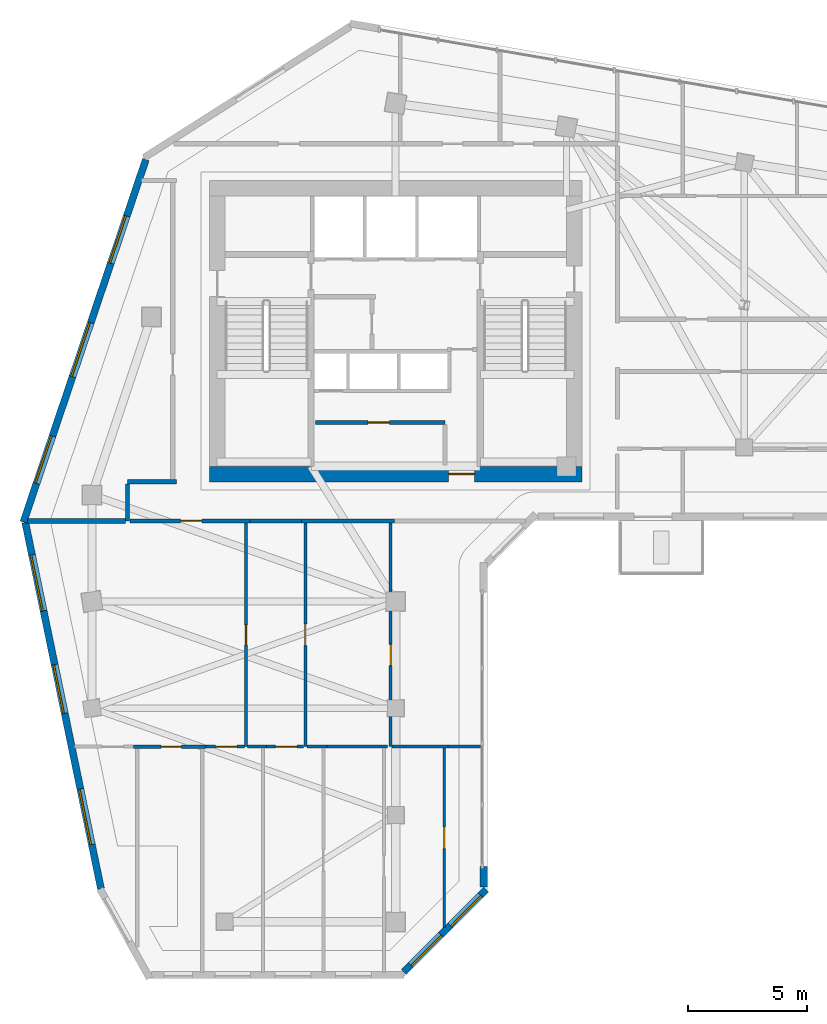
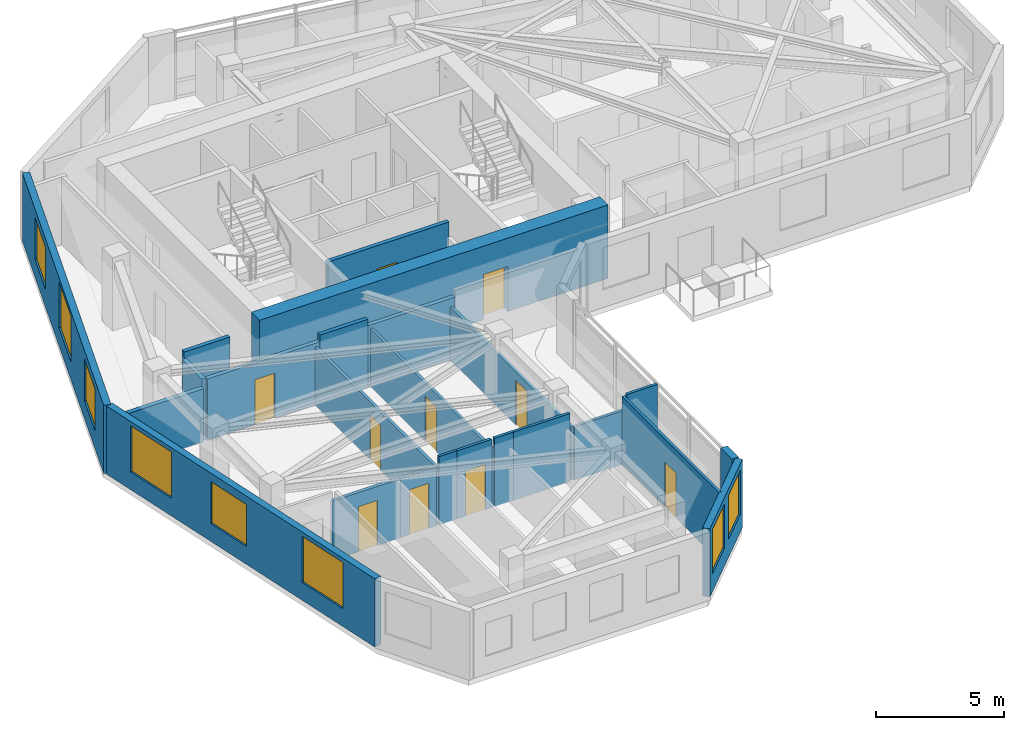
# One storey, part 5 of 11: 24 walls, 10 doors, 8 windows, 18 openings.
"""IFC4 building model written with IfcOpenShell, lengths in metres."""

from ifc_helpers import new_model, si_unit, direction, frame, frame_2d, origin, place, context, subcontext, project, spatial, rectangle, extrude, source, transform, mapped, material, layer, layer_set, type_object, element, fill, save


model = new_model("IFC4")

# Units and contexts
model_context = context("Model", 3, precision=1e-05, world=origin(), true_north=direction((0.0, 1.0)))
body_context = subcontext(model_context, "Body", "Model", "MODEL_VIEW")
ifc_project = project(units=[si_unit("LENGTHUNIT", "METRE"), si_unit("AREAUNIT", "SQUARE_METRE"), si_unit("VOLUMEUNIT", "CUBIC_METRE"), si_unit("PLANEANGLEUNIT", "RADIAN"), si_unit("MASSUNIT", "GRAM", prefix="KILO")], contexts=[model_context])

# Site, building, storey
site_placement = place(None, origin())
site = spatial("IfcSite", under=ifc_project, at=site_placement, CompositionType="ELEMENT")
building_placement = place(site_placement, origin())
building = spatial("IfcBuilding", under=site, at=building_placement, Name="Calvemar Wedge Station Tower", CompositionType="ELEMENT")
storey_placement = place(building_placement, frame((0.0, 0.0, 190.39990234375)))
storey = spatial("IfcBuildingStorey", under=building, at=storey_placement, Name="L47", CompositionType="ELEMENT", Elevation=190.39990234375)

# Wall, opening, door
ifc_material_1 = material(Name="Concrete C60", Category="concrete")
ifc_layer_1 = layer(ifc_material_1, 0.64990234375)
ifc_layer_set_1 = layer_set([ifc_layer_1], Name="Concrete C60")
wall_type_1 = type_object("IfcWallType", Name="SW-CORE-650", PredefinedType="SHEAR", material=ifc_layer_set_1)
wall_1_placement = place(storey_placement, frame((15.949951171875, 33.875, 0.0), z_axis=(0.0, 0.0, 1.0), x_axis=(1.0, 0.0, 0.0)))
wall_1 = element("IfcWall", 1, at=wall_1_placement, inside=storey, type_object=wall_type_1, Name="Storey L47 Core Shear Wall S", PredefinedType="SHEAR", context=body_context, shape_type="SweptSolid", body=[
    extrude(rectangle(XDim=15.699951171875, YDim=0.64990234375, at=frame_2d((7.85009765625, 0.0))), origin(), (0.0, 0.0, 1.0), 3.5),
])
shared_shape_1 = source(origin(), body_context, "Body", "SweptSolid", [
    extrude(rectangle(XDim=1.10009765625, YDim=2.14990234375, at=frame_2d((0.550048828125, 1.074951171875))), frame((0.0, 0.3349609375, 0.0), z_axis=(0.0, -1.0, 0.0), x_axis=(1.0, 0.0, 0.0)), (0.0, 0.0, 1.0), 0.669921875),
])
opening_1_placement = place(wall_1_placement, frame((10.080078125, 0.0, 0.0)))
opening_1 = element("IfcOpeningElement", 2, at=opening_1_placement, cuts=wall_1, Name="Opening FD-90", PredefinedType="OPENING", context=body_context, shape_type="MappedRepresentation", body=[
    mapped(shared_shape_1, transform((0.0, 0.0, 0.0), scale=1.0)),
])
ifc_material_2 = material(Name="Galvanized fire-rated steel door leaf P-90", Category="steel")
door_type_1 = type_object("IfcDoorType", Name="DR-FD90-1100", OperationType="NOTDEFINED", PredefinedType="DOOR", material=ifc_material_2)
shared_shape_2 = source(origin(), body_context, "Body", "SweptSolid", [
    extrude(rectangle(XDim=1.10009765625, YDim=2.14990234375, at=frame_2d((0.550048828125, 1.074951171875))), frame((0.0, 0.02490234375, 0.0), z_axis=(0.0, -1.0, 0.0), x_axis=(1.0, 0.0, 0.0)), (0.0, 0.0, 1.0), 0.050048828125),
])
door_1_placement = place(opening_1_placement, origin())
door_1 = element("IfcDoor", 3, at=door_1_placement, inside=storey, type_object=door_type_1, Name="L47 Passenger Lift Lobby Door", OperationType="SINGLE_SWING_RIGHT", OverallHeight=2.14990234375, OverallWidth=1.10009765625, PredefinedType="DOOR", context=body_context, shape_type="MappedRepresentation", body=[
    mapped(shared_shape_2, transform((0.0, 0.0, 0.0), scale=1.0)),
])
fill(opening_1, door_1)

ifc_material_3 = material(Name="Double-stud fire-rated corridor partition")
ifc_layer_2 = layer(ifc_material_3, 0.179931640625)
ifc_layer_set_2 = layer_set([ifc_layer_2], Name="Double-stud fire-rated corridor partition")
wall_type_2 = type_object("IfcWallType", Name="W-CORR-180", PredefinedType="PARTITIONING", material=ifc_layer_set_2)
wall_2_placement = place(storey_placement, frame((20.419921875, 36.050048828125, 0.0), z_axis=(0.0, 0.0, 1.0), x_axis=(1.0, 0.0, 0.0)))
wall_2 = element("IfcWall", 4, at=wall_2_placement, inside=storey, type_object=wall_type_2, Name="Storey L47 Interior Partition WL-L47-004", PredefinedType="PARTITIONING", context=body_context, shape_type="SweptSolid", body=[
    extrude(rectangle(XDim=5.4599609375, YDim=0.179931640625, at=frame_2d((2.72998046875, 0.0))), origin(), (0.0, 0.0, 1.0), 3.25),
])
shared_shape_3 = source(origin(), body_context, "Body", "SweptSolid", [
    extrude(rectangle(XDim=0.89990234375, YDim=2.14990234375, at=frame_2d((0.449951171875, 1.074951171875))), frame((0.0, 0.10009765625, 0.0), z_axis=(0.0, -1.0, 0.0), x_axis=(1.0, 0.0, 0.0)), (0.0, 0.0, 1.0), 0.199951171875),
])
opening_2_placement = place(wall_2_placement, frame((2.219482421875, 0.0, 0.0)))
opening_2 = element("IfcOpeningElement", 5, at=opening_2_placement, cuts=wall_2, Name="Opening FD-60", PredefinedType="OPENING", context=body_context, shape_type="MappedRepresentation", body=[
    mapped(shared_shape_3, transform((0.0, 0.0, 0.0), scale=1.0)),
])
ifc_material_4 = material(Name="Fire-rated acoustic timber-core entrance door EI 60", Category="wood")
door_type_2 = type_object("IfcDoorType", Name="DR-FD60-900", OperationType="NOTDEFINED", PredefinedType="DOOR", material=ifc_material_4)
shared_shape_4 = source(origin(), body_context, "Body", "SweptSolid", [
    extrude(rectangle(XDim=0.89990234375, YDim=2.14990234375, at=frame_2d((0.449951171875, 1.074951171875))), frame((0.0, 0.02490234375, 0.0), z_axis=(0.0, -1.0, 0.0), x_axis=(1.0, 0.0, 0.0)), (0.0, 0.0, 1.0), 0.050048828125),
])
door_2_placement = place(opening_2_placement, origin())
door_2 = element("IfcDoor", 6, at=door_2_placement, inside=storey, type_object=door_type_2, Name="L47 Parcel and Resident Store Door", OperationType="SINGLE_SWING_LEFT", OverallHeight=2.14990234375, OverallWidth=0.89990234375, PredefinedType="DOOR", context=body_context, shape_type="MappedRepresentation", body=[
    mapped(shared_shape_4, transform((0.0, 0.0, 0.0), scale=1.0)),
])
fill(opening_2, door_2)

# Walls
wall_3_placement = place(storey_placement, frame((12.5, 33.550048828125, 0.0), z_axis=(0.0, 0.0, 1.0), x_axis=(1.0, 0.0, 0.0)))
element("IfcWall", 7, at=wall_3_placement, inside=storey, type_object=wall_type_2, Name="Storey L47 Interior Partition WL-L47-006", PredefinedType="PARTITIONING", context=body_context, shape_type="SweptSolid", body=[
    extrude(rectangle(XDim=2.06005859375, YDim=0.179931640625, at=frame_2d((1.030029296875, 0.0))), origin(), (0.0, 0.0, 1.0), 3.25),
])
wall_4_placement = place(storey_placement, frame((12.5, 31.89990234375, 0.0), z_axis=(0.0, 0.0, 1.0), x_axis=(0.0, 1.0, 0.0)))
element("IfcWall", 8, at=wall_4_placement, inside=storey, type_object=wall_type_2, Name="Storey L47 Interior Partition WL-L47-007", PredefinedType="PARTITIONING", context=body_context, shape_type="SweptSolid", body=[
    extrude(rectangle(XDim=1.55615234375, YDim=0.179931640625, at=frame_2d((0.778076171875, 0.0))), origin(), (0.0, 0.0, 1.0), 2.93408203125),
])
wall_5_placement = place(storey_placement, frame((23.7509765625, 31.89990234375, 0.0), z_axis=(0.0, 0.0, 1.0), x_axis=(-1.0, 0.0, 0.0)))
element("IfcWall", 9, at=wall_5_placement, inside=storey, type_object=wall_type_2, Name="Storey L47 Interior Partition WL-L47-008", PredefinedType="PARTITIONING", context=body_context, shape_type="SweptSolid", body=[
    extrude(rectangle(XDim=3.919921875, YDim=0.179931640625, at=frame_2d((1.9599609375, 0.0))), origin(), (0.0, 0.0, 1.0), 2.93408203125),
])

# Wall, opening, door
wall_6_placement = place(storey_placement, frame((17.65087890625, 31.89990234375, 0.0), z_axis=(0.0, 0.0, 1.0), x_axis=(-1.0, 0.0, 0.0)))
wall_6 = element("IfcWall", 10, at=wall_6_placement, inside=storey, type_object=wall_type_2, Name="Storey L47 Interior Partition WL-L47-010", PredefinedType="PARTITIONING", context=body_context, shape_type="SweptSolid", body=[
    extrude(rectangle(XDim=5.056884765625, YDim=0.179931640625, at=frame_2d((2.5283203125, 0.0))), origin(), (0.0, 0.0, 1.0), 2.93408203125),
])
opening_3_placement = place(wall_6_placement, frame((2.0166015625, 0.0, 0.0)))
opening_3 = element("IfcOpeningElement", 11, at=opening_3_placement, cuts=wall_6, Name="Opening FD-60", PredefinedType="OPENING", context=body_context, shape_type="MappedRepresentation", body=[
    mapped(shared_shape_3, transform((0.0, 0.0, 0.0), scale=1.0)),
])
door_3_placement = place(opening_3_placement, origin())
door_3 = element("IfcDoor", 12, at=door_3_placement, inside=storey, type_object=door_type_2, Name="L47 Living Dining Door", OperationType="SINGLE_SWING_LEFT", OverallHeight=2.14990234375, OverallWidth=0.89990234375, PredefinedType="DOOR", context=body_context, shape_type="MappedRepresentation", body=[
    mapped(shared_shape_4, transform((0.0, 0.0, 0.0), scale=1.0)),
])
fill(opening_3, door_3)

# Walls
wall_7_placement = place(storey_placement, frame((19.8291015625, 31.89990234375, 0.0), z_axis=(0.0, 0.0, 1.0), x_axis=(-1.0, 0.0, 0.0)))
element("IfcWall", 13, at=wall_7_placement, inside=storey, type_object=wall_type_2, Name="Storey L47 Interior Partition WL-L47-011", PredefinedType="PARTITIONING", context=body_context, shape_type="SweptSolid", body=[
    extrude(rectangle(XDim=2.176025390625, YDim=0.179931640625, at=frame_2d((1.087890625, 0.0))), origin(), (0.0, 0.0, 1.0), 3.25),
])
ifc_material_5 = material(Name="Twin-stud fire-rated inter-tenancy wall")
ifc_layer_3 = layer(ifc_material_5, 0.199951171875)
ifc_layer_set_3 = layer_set([ifc_layer_3], Name="Twin-stud fire-rated inter-tenancy wall")
wall_type_3 = type_object("IfcWallType", Name="W-DEMISE-200", PredefinedType="PARTITIONING", material=ifc_layer_set_3)
wall_8_placement = place(storey_placement, frame((12.406005859375, 31.89990234375, 0.0), z_axis=(0.0, 0.0, 1.0), x_axis=(-1.0, 0.0, 0.0)))
element("IfcWall", 14, at=wall_8_placement, inside=storey, type_object=wall_type_3, Name="Storey L47 Interior Partition WL-L47-021", PredefinedType="PARTITIONING", context=body_context, shape_type="SweptSolid", body=[
    extrude(rectangle(XDim=4.11474609375, YDim=0.199951171875, at=frame_2d((2.057373046875, 0.0))), origin(), (0.0, 0.0, 1.0), 2.5419921875),
])

# Wall, openings, windows
ifc_material_6 = material(Name="Precast concrete C45", Category="concrete")
ifc_layer_4 = layer(ifc_material_6, 0.300048828125)
ifc_layer_set_4 = layer_set([ifc_layer_4], Name="Precast concrete C45")
wall_type_4 = type_object("IfcWallType", Name="W-EXT-GFRC-300", PredefinedType="SOLIDWALL", material=ifc_layer_set_4)
wall_9_placement = place(storey_placement, frame((24.139892578125, 12.887939453125, 0.0), z_axis=(0.0, 0.0, 1.0), x_axis=(0.707106781187, 0.707106781187, 0.0)))
wall_9 = element("IfcWall", 15, at=wall_9_placement, inside=storey, type_object=wall_type_4, Name="Storey L47 Bronze GFRC Exterior Wall 3", PredefinedType="SOLIDWALL", context=body_context, shape_type="SweptSolid", body=[
    extrude(rectangle(XDim=4.921875, YDim=0.300048828125, at=frame_2d((2.4609375, 0.0))), origin(), (0.0, 0.0, 1.0), 3.25),
])
shared_shape_5 = source(origin(), body_context, "Body", "SweptSolid", [
    extrude(rectangle(XDim=1.800048828125, YDim=2.10009765625, at=frame_2d((0.89990234375, 1.050048828125))), frame((0.0, 0.16015625, 0.0), z_axis=(0.0, -1.0, 0.0), x_axis=(1.0, 0.0, 0.0)), (0.0, 0.0, 1.0), 0.320068359375),
])
opening_4_placement = place(wall_9_placement, frame((0.4169921875, 0.0, 0.85009765625)))
opening_4 = element("IfcOpeningElement", 16, at=opening_4_placement, cuts=wall_9, Name="Opening W2", PredefinedType="OPENING", context=body_context, shape_type="MappedRepresentation", body=[
    mapped(shared_shape_5, transform((0.0, 0.0, 0.0), scale=1.0)),
])
opening_5_placement = place(wall_9_placement, frame((2.778076171875, 0.0, 0.85009765625)))
opening_5 = element("IfcOpeningElement", 17, at=opening_5_placement, cuts=wall_9, Name="Opening W2", PredefinedType="OPENING", context=body_context, shape_type="MappedRepresentation", body=[
    mapped(shared_shape_5, transform((0.0, 0.0, 0.0), scale=1.0)),
])
ifc_material_7 = material(Name="Low-E laminated insulated glass", Category="glass")
window_type_1 = type_object("IfcWindowType", Name="WIN-EXT-2", PartitioningType="SINGLE_PANEL", PredefinedType="WINDOW", material=ifc_material_7)
shared_shape_6 = source(origin(), body_context, "Body", "SweptSolid", [
    extrude(rectangle(XDim=1.800048828125, YDim=2.10009765625, at=frame_2d((0.89990234375, 1.050048828125))), frame((0.0, -0.014892578125, 0.0), z_axis=(0.0, -1.0, 0.0), x_axis=(1.0, 0.0, 0.0)), (0.0, 0.0, 1.0), 0.06005859375),
])
window_1_placement = place(opening_4_placement, origin())
window_1 = element("IfcWindow", 18, at=window_1_placement, inside=storey, type_object=window_type_1, Name="Storey L47 Recessed Window 3.1", OverallHeight=2.10009765625, OverallWidth=1.800048828125, PartitioningType="SINGLE_PANEL", PredefinedType="WINDOW", context=body_context, shape_type="MappedRepresentation", body=[
    mapped(shared_shape_6, transform((0.0, 0.0, 0.0), scale=1.0)),
])
fill(opening_4, window_1)
window_2_placement = place(opening_5_placement, origin())
window_2 = element("IfcWindow", 19, at=window_2_placement, inside=storey, type_object=window_type_1, Name="Storey L47 Recessed Window 3.2", OverallHeight=2.10009765625, OverallWidth=1.800048828125, PartitioningType="SINGLE_PANEL", PredefinedType="WINDOW", context=body_context, shape_type="MappedRepresentation", body=[
    mapped(shared_shape_6, transform((0.0, 0.0, 0.0), scale=1.0)),
])
fill(opening_5, window_2)

# Wall
wall_10_placement = place(storey_placement, frame((27.513916015625, 16.457275390625, 0.0), z_axis=(0.0, 0.0, 1.0), x_axis=(0.0, 1.0, 0.0)))
element("IfcWall", 20, at=wall_10_placement, inside=storey, type_object=wall_type_4, Name="Storey L47 Bronze GFRC Corner Pier 4A", PredefinedType="SOLIDWALL", context=body_context, shape_type="SweptSolid", body=[
    extrude(rectangle(XDim=0.88232421875, YDim=0.300048828125, at=frame_2d((0.441162109375, 0.0))), origin(), (0.0, 0.0, 1.0), 3.25),
])

# Wall, openings, windows
wall_11_placement = place(storey_placement, frame((13.2685546875, 47.1337890625, 0.0), z_axis=(0.0, 0.0, 1.0), x_axis=(-0.319920776449, -0.947444297464, 0.0)))
wall_11 = element("IfcWall", 21, at=wall_11_placement, inside=storey, type_object=wall_type_4, Name="Storey L47 Bronze GFRC Exterior Wall 12", PredefinedType="SOLIDWALL", context=body_context, shape_type="SweptSolid", body=[
    extrude(rectangle(XDim=16.13330078125, YDim=0.300048828125, at=frame_2d((8.066650390625, 0.0))), origin(), (0.0, 0.0, 1.0), 3.25),
])
shared_shape_7 = source(origin(), body_context, "Body", "SweptSolid", [
    extrude(rectangle(XDim=2.10009765625, YDim=2.0, at=frame_2d((1.050048828125, 1.0))), frame((0.0, 0.16015625, 0.0), z_axis=(0.0, -1.0, 0.0), x_axis=(1.0, 0.0, 0.0)), (0.0, 0.0, 1.0), 0.320068359375),
])
opening_6_placement = place(wall_11_placement, frame((2.512939453125, 0.0, 0.85009765625)))
opening_6 = element("IfcOpeningElement", 22, at=opening_6_placement, cuts=wall_11, Name="Opening W4", PredefinedType="OPENING", context=body_context, shape_type="MappedRepresentation", body=[
    mapped(shared_shape_7, transform((0.0, 0.0, 0.0), scale=1.0)),
])
shared_shape_8 = source(origin(), body_context, "Body", "SweptSolid", [
    extrude(rectangle(XDim=2.39990234375, YDim=2.199951171875, at=frame_2d((1.199951171875, 1.10009765625))), frame((0.0, 0.16015625, 0.0), z_axis=(0.0, -1.0, 0.0), x_axis=(1.0, 0.0, 0.0)), (0.0, 0.0, 1.0), 0.320068359375),
])
opening_7_placement = place(wall_11_placement, frame((7.260009765625, 0.0, 0.85009765625)))
opening_7 = element("IfcOpeningElement", 23, at=opening_7_placement, cuts=wall_11, Name="Opening W1", PredefinedType="OPENING", context=body_context, shape_type="MappedRepresentation", body=[
    mapped(shared_shape_8, transform((0.0, 0.0, 0.0), scale=1.0)),
])
opening_8_placement = place(wall_11_placement, frame((12.306884765625, 0.0, 0.85009765625)))
opening_8 = element("IfcOpeningElement", 24, at=opening_8_placement, cuts=wall_11, Name="Opening W4", PredefinedType="OPENING", context=body_context, shape_type="MappedRepresentation", body=[
    mapped(shared_shape_7, transform((0.0, 0.0, 0.0), scale=1.0)),
])
window_type_2 = type_object("IfcWindowType", Name="WIN-EXT-4", PartitioningType="SINGLE_PANEL", PredefinedType="WINDOW", material=ifc_material_7)
shared_shape_9 = source(origin(), body_context, "Body", "SweptSolid", [
    extrude(rectangle(XDim=2.10009765625, YDim=2.0, at=frame_2d((1.050048828125, 1.0))), frame((0.0, -0.014892578125, 0.0), z_axis=(0.0, -1.0, 0.0), x_axis=(1.0, 0.0, 0.0)), (0.0, 0.0, 1.0), 0.06005859375),
])
window_3_placement = place(opening_6_placement, origin())
window_3 = element("IfcWindow", 25, at=window_3_placement, inside=storey, type_object=window_type_2, Name="Storey L47 Recessed Window 12.1", OverallHeight=2.0, OverallWidth=2.10009765625, PartitioningType="SINGLE_PANEL", PredefinedType="WINDOW", context=body_context, shape_type="MappedRepresentation", body=[
    mapped(shared_shape_9, transform((0.0, 0.0, 0.0), scale=1.0)),
])
fill(opening_6, window_3)
window_4_placement = place(opening_8_placement, origin())
window_4 = element("IfcWindow", 26, at=window_4_placement, inside=storey, type_object=window_type_2, Name="Storey L47 Recessed Window 12.3", OverallHeight=2.0, OverallWidth=2.10009765625, PartitioningType="SINGLE_PANEL", PredefinedType="WINDOW", context=body_context, shape_type="MappedRepresentation", body=[
    mapped(shared_shape_9, transform((0.0, 0.0, 0.0), scale=1.0)),
])
fill(opening_8, window_4)
window_type_3 = type_object("IfcWindowType", Name="WIN-EXT-1", PartitioningType="SINGLE_PANEL", PredefinedType="WINDOW", material=ifc_material_7)
shared_shape_10 = source(origin(), body_context, "Body", "SweptSolid", [
    extrude(rectangle(XDim=2.39990234375, YDim=2.199951171875, at=frame_2d((1.199951171875, 1.10009765625))), frame((0.0, -0.014892578125, 0.0), z_axis=(0.0, -1.0, 0.0), x_axis=(1.0, 0.0, 0.0)), (0.0, 0.0, 1.0), 0.06005859375),
])
window_5_placement = place(opening_7_placement, origin())
window_5 = element("IfcWindow", 27, at=window_5_placement, inside=storey, type_object=window_type_3, Name="Storey L47 Recessed Window 12.2", OverallHeight=2.199951171875, OverallWidth=2.39990234375, PartitioningType="SINGLE_PANEL", PredefinedType="WINDOW", context=body_context, shape_type="MappedRepresentation", body=[
    mapped(shared_shape_10, transform((0.0, 0.0, 0.0), scale=1.0)),
])
fill(opening_7, window_5)

wall_12_placement = place(storey_placement, frame((8.1875, 31.833984375, 0.0), z_axis=(0.0, 0.0, 1.0), x_axis=(0.202303475707, -0.979322880217, 0.0)))
wall_12 = element("IfcWall", 28, at=wall_12_placement, inside=storey, type_object=wall_type_4, Name="Storey L47 Bronze GFRC Exterior Wall 13", PredefinedType="SOLIDWALL", context=body_context, shape_type="SweptSolid", body=[
    extrude(rectangle(XDim=15.765625, YDim=0.300048828125, at=frame_2d((7.8828125, 0.0))), origin(), (0.0, 0.0, 1.0), 3.25),
])
opening_9_placement = place(wall_12_placement, frame((1.404052734375, 0.0, 0.85009765625)))
opening_9 = element("IfcOpeningElement", 29, at=opening_9_placement, cuts=wall_12, Name="Opening W1", PredefinedType="OPENING", context=body_context, shape_type="MappedRepresentation", body=[
    mapped(shared_shape_8, transform((0.0, 0.0, 0.0), scale=1.0)),
])
opening_10_placement = place(wall_12_placement, frame((6.12109375, 0.0, 0.85009765625)))
opening_10 = element("IfcOpeningElement", 30, at=opening_10_placement, cuts=wall_12, Name="Opening W4", PredefinedType="OPENING", context=body_context, shape_type="MappedRepresentation", body=[
    mapped(shared_shape_7, transform((0.0, 0.0, 0.0), scale=1.0)),
])
opening_11_placement = place(wall_12_placement, frame((11.469970703125, 0.0, 0.85009765625)))
opening_11 = element("IfcOpeningElement", 31, at=opening_11_placement, cuts=wall_12, Name="Opening W1", PredefinedType="OPENING", context=body_context, shape_type="MappedRepresentation", body=[
    mapped(shared_shape_8, transform((0.0, 0.0, 0.0), scale=1.0)),
])
window_6_placement = place(opening_10_placement, origin())
window_6 = element("IfcWindow", 32, at=window_6_placement, inside=storey, type_object=window_type_2, Name="Storey L47 Recessed Window 13.2", OverallHeight=2.0, OverallWidth=2.10009765625, PartitioningType="SINGLE_PANEL", PredefinedType="WINDOW", context=body_context, shape_type="MappedRepresentation", body=[
    mapped(shared_shape_9, transform((0.0, 0.0, 0.0), scale=1.0)),
])
fill(opening_10, window_6)
window_7_placement = place(opening_9_placement, origin())
window_7 = element("IfcWindow", 33, at=window_7_placement, inside=storey, type_object=window_type_3, Name="Storey L47 Recessed Window 13.1", OverallHeight=2.199951171875, OverallWidth=2.39990234375, PartitioningType="SINGLE_PANEL", PredefinedType="WINDOW", context=body_context, shape_type="MappedRepresentation", body=[
    mapped(shared_shape_10, transform((0.0, 0.0, 0.0), scale=1.0)),
])
fill(opening_9, window_7)
window_8_placement = place(opening_11_placement, origin())
window_8 = element("IfcWindow", 34, at=window_8_placement, inside=storey, type_object=window_type_3, Name="Storey L47 Recessed Window 13.3", OverallHeight=2.199951171875, OverallWidth=2.39990234375, PartitioningType="SINGLE_PANEL", PredefinedType="WINDOW", context=body_context, shape_type="MappedRepresentation", body=[
    mapped(shared_shape_10, transform((0.0, 0.0, 0.0), scale=1.0)),
])
fill(opening_11, window_8)

# Wall, opening, door
ifc_material_8 = material(Name="Insulated acoustic gypsum stud partition")
ifc_layer_5 = layer(ifc_material_8, 0.125)
ifc_layer_set_5 = layer_set([ifc_layer_5], Name="Insulated acoustic gypsum stud partition")
wall_type_5 = type_object("IfcWallType", Name="W-PART-125", PredefinedType="PARTITIONING", material=ifc_layer_set_5)
wall_13_placement = place(storey_placement, frame((23.591064453125, 31.805908203125, 0.0), z_axis=(0.0, 0.0, 1.0), x_axis=(0.0, -1.0, 0.0)))
wall_13 = element("IfcWall", 35, at=wall_13_placement, inside=storey, type_object=wall_type_5, Name="Storey L47 Interior Partition WL-L47-050", PredefinedType="PARTITIONING", context=body_context, shape_type="SweptSolid", body=[
    extrude(rectangle(XDim=9.4228515625, YDim=0.125, at=frame_2d((4.71142578125, 0.0))), origin(), (0.0, 0.0, 1.0), 2.5419921875),
])
shared_shape_11 = source(origin(), body_context, "Body", "SweptSolid", [
    extrude(rectangle(XDim=0.89990234375, YDim=2.14990234375, at=frame_2d((0.449951171875, 1.074951171875))), frame((0.0, 0.072509765625, 0.0), z_axis=(0.0, -1.0, 0.0), x_axis=(1.0, 0.0, 0.0)), (0.0, 0.0, 1.0), 0.14501953125),
])
opening_12_placement = place(wall_13_placement, frame((5.106201171875, 0.0, 0.0)))
opening_12 = element("IfcOpeningElement", 36, at=opening_12_placement, cuts=wall_13, Name="Opening D-01", PredefinedType="OPENING", context=body_context, shape_type="MappedRepresentation", body=[
    mapped(shared_shape_11, transform((0.0, 0.0, 0.0), scale=1.0)),
])
ifc_material_9 = material(Name="Architectural hardwood acoustic swing door", Category="wood")
door_type_3 = type_object("IfcDoorType", Name="DR-INT-900", OperationType="NOTDEFINED", PredefinedType="DOOR", material=ifc_material_9)
shared_shape_12 = source(origin(), body_context, "Body", "SweptSolid", [
    extrude(rectangle(XDim=0.89990234375, YDim=2.14990234375, at=frame_2d((0.449951171875, 1.074951171875))), frame((0.0, 0.02490234375, 0.0), z_axis=(0.0, -1.0, 0.0), x_axis=(1.0, 0.0, 0.0)), (0.0, 0.0, 1.0), 0.050048828125),
])
door_4_placement = place(opening_12_placement, origin())
door_4 = element("IfcDoor", 37, at=door_4_placement, inside=storey, type_object=door_type_3, Name="L47 Bedroom Door", OperationType="SINGLE_SWING_RIGHT", OverallHeight=2.14990234375, OverallWidth=0.89990234375, PredefinedType="DOOR", context=body_context, shape_type="MappedRepresentation", body=[
    mapped(shared_shape_12, transform((0.0, 0.0, 0.0), scale=1.0)),
])
fill(opening_12, door_4)

wall_14_placement = place(storey_placement, frame((19.990966796875, 22.383056640625, 0.0), z_axis=(0.0, 0.0, 1.0), x_axis=(0.0, 1.0, 0.0)))
wall_14 = element("IfcWall", 38, at=wall_14_placement, inside=storey, type_object=wall_type_5, Name="Storey L47 Interior Partition WL-L47-051", PredefinedType="PARTITIONING", context=body_context, shape_type="SweptSolid", body=[
    extrude(rectangle(XDim=9.4228515625, YDim=0.125, at=frame_2d((4.71142578125, 0.0))), origin(), (0.0, 0.0, 1.0), 2.76611328125),
])
opening_13_placement = place(wall_14_placement, frame((4.261474609375, 0.0, 0.0)))
opening_13 = element("IfcOpeningElement", 39, at=opening_13_placement, cuts=wall_14, Name="Opening D-01", PredefinedType="OPENING", context=body_context, shape_type="MappedRepresentation", body=[
    mapped(shared_shape_11, transform((0.0, 0.0, 0.0), scale=1.0)),
])
door_5_placement = place(opening_13_placement, origin())
door_5 = element("IfcDoor", 40, at=door_5_placement, inside=storey, type_object=door_type_3, Name="L47 Study Door", OperationType="SINGLE_SWING_LEFT", OverallHeight=2.14990234375, OverallWidth=0.89990234375, PredefinedType="DOOR", context=body_context, shape_type="MappedRepresentation", body=[
    mapped(shared_shape_12, transform((0.0, 0.0, 0.0), scale=1.0)),
])
fill(opening_13, door_5)

# Walls
wall_15_placement = place(storey_placement, frame((20.909912109375, 22.383056640625, 0.0), z_axis=(0.0, 0.0, 1.0), x_axis=(-1.0, 0.0, 0.0)))
element("IfcWall", 41, at=wall_15_placement, inside=storey, type_object=wall_type_5, Name="Storey L47 Interior Partition WL-L47-052", PredefinedType="PARTITIONING", context=body_context, shape_type="SweptSolid", body=[
    extrude(rectangle(XDim=0.852294921875, YDim=0.125, at=frame_2d((0.42626953125, 0.0))), origin(), (0.0, 0.0, 1.0), 3.25),
])
wall_16_placement = place(storey_placement, frame((23.4599609375, 22.383056640625, 0.0), z_axis=(0.0, 0.0, 1.0), x_axis=(-1.0, 0.0, 0.0)))
element("IfcWall", 42, at=wall_16_placement, inside=storey, type_object=wall_type_5, Name="Storey L47 Interior Partition WL-L47-053", PredefinedType="PARTITIONING", context=body_context, shape_type="SweptSolid", body=[
    extrude(rectangle(XDim=2.5478515625, YDim=0.125, at=frame_2d((1.27392578125, 0.0))), origin(), (0.0, 0.0, 1.0), 3.25),
])
wall_17_placement = place(storey_placement, frame((26.010009765625, 22.383056640625, 0.0), z_axis=(0.0, 0.0, 1.0), x_axis=(-1.0, 0.0, 0.0)))
element("IfcWall", 43, at=wall_17_placement, inside=storey, type_object=wall_type_5, Name="Storey L47 Interior Partition WL-L47-054", PredefinedType="PARTITIONING", context=body_context, shape_type="SweptSolid", body=[
    extrude(rectangle(XDim=2.3525390625, YDim=0.125, at=frame_2d((1.17626953125, 0.0))), origin(), (0.0, 0.0, 1.0), 2.5419921875),
])
wall_18_placement = place(storey_placement, frame((27.39892578125, 22.383056640625, 0.0), z_axis=(0.0, 0.0, 1.0), x_axis=(-1.0, 0.0, 0.0)))
element("IfcWall", 44, at=wall_18_placement, inside=storey, type_object=wall_type_5, Name="Storey L47 Interior Partition WL-L47-055", PredefinedType="PARTITIONING", context=body_context, shape_type="SweptSolid", body=[
    extrude(rectangle(XDim=1.386962890625, YDim=0.125, at=frame_2d((0.693359375, 0.0))), origin(), (0.0, 0.0, 1.0), 3.25),
])

# Wall, opening, door
wall_19_placement = place(storey_placement, frame((17.490966796875, 31.805908203125, 0.0), z_axis=(0.0, 0.0, 1.0), x_axis=(0.0, -1.0, 0.0)))
wall_19 = element("IfcWall", 45, at=wall_19_placement, inside=storey, type_object=wall_type_5, Name="Storey L47 Interior Partition WL-L47-056", PredefinedType="PARTITIONING", context=body_context, shape_type="SweptSolid", body=[
    extrude(rectangle(XDim=9.4228515625, YDim=0.125, at=frame_2d((4.71142578125, 0.0))), origin(), (0.0, 0.0, 1.0), 2.76611328125),
])
shared_shape_13 = source(origin(), body_context, "Body", "SweptSolid", [
    extrude(rectangle(XDim=0.85009765625, YDim=2.14990234375, at=frame_2d((0.425048828125, 1.074951171875))), frame((0.0, 0.072509765625, 0.0), z_axis=(0.0, -1.0, 0.0), x_axis=(1.0, 0.0, 0.0)), (0.0, 0.0, 1.0), 0.14501953125),
])
opening_14_placement = place(wall_19_placement, frame((4.28662109375, 0.0, 0.0)))
opening_14 = element("IfcOpeningElement", 46, at=opening_14_placement, cuts=wall_19, Name="Opening D-02", PredefinedType="OPENING", context=body_context, shape_type="MappedRepresentation", body=[
    mapped(shared_shape_13, transform((0.0, 0.0, 0.0), scale=1.0)),
])
ifc_material_10 = material(Name="Moisture-sealed bathroom hardwood swing door", Category="wood")
door_type_4 = type_object("IfcDoorType", Name="DR-WET-850", OperationType="NOTDEFINED", PredefinedType="DOOR", material=ifc_material_10)
shared_shape_14 = source(origin(), body_context, "Body", "SweptSolid", [
    extrude(rectangle(XDim=0.85009765625, YDim=2.14990234375, at=frame_2d((0.425048828125, 1.074951171875))), frame((0.0, 0.02490234375, 0.0), z_axis=(0.0, -1.0, 0.0), x_axis=(1.0, 0.0, 0.0)), (0.0, 0.0, 1.0), 0.050048828125),
])
door_6_placement = place(opening_14_placement, origin())
door_6 = element("IfcDoor", 47, at=door_6_placement, inside=storey, type_object=door_type_4, Name="L47 Kitchen Door", OperationType="SINGLE_SWING_RIGHT", OverallHeight=2.14990234375, OverallWidth=0.85009765625, PredefinedType="DOOR", context=body_context, shape_type="MappedRepresentation", body=[
    mapped(shared_shape_14, transform((0.0, 0.0, 0.0), scale=1.0)),
])
fill(opening_14, door_6)

wall_20_placement = place(storey_placement, frame((17.424560546875, 22.383056640625, 0.0), z_axis=(0.0, 0.0, 1.0), x_axis=(-1.0, 0.0, 0.0)))
wall_20 = element("IfcWall", 48, at=wall_20_placement, inside=storey, type_object=wall_type_5, Name="Storey L47 Interior Partition WL-L47-059", PredefinedType="PARTITIONING", context=body_context, shape_type="SweptSolid", body=[
    extrude(rectangle(XDim=1.612548828125, YDim=0.125, at=frame_2d((0.80615234375, 0.0))), origin(), (0.0, 0.0, 1.0), 2.822021484375),
])
opening_15_placement = place(wall_20_placement, frame((0.318115234375, 0.0, 0.0)))
opening_15 = element("IfcOpeningElement", 49, at=opening_15_placement, cuts=wall_20, Name="Opening D-01", PredefinedType="OPENING", context=body_context, shape_type="MappedRepresentation", body=[
    mapped(shared_shape_11, transform((0.0, 0.0, 0.0), scale=1.0)),
])
door_7_placement = place(opening_15_placement, origin())
door_7 = element("IfcDoor", 50, at=door_7_placement, inside=storey, type_object=door_type_3, Name="L47 Master Bedroom Door", OperationType="SINGLE_SWING_LEFT", OverallHeight=2.14990234375, OverallWidth=0.89990234375, PredefinedType="DOOR", context=body_context, shape_type="MappedRepresentation", body=[
    mapped(shared_shape_12, transform((0.0, 0.0, 0.0), scale=1.0)),
])
fill(opening_15, door_7)

# Wall
wall_21_placement = place(storey_placement, frame((18.360107421875, 22.383056640625, 0.0), z_axis=(0.0, 0.0, 1.0), x_axis=(-1.0, 0.0, 0.0)))
element("IfcWall", 51, at=wall_21_placement, inside=storey, type_object=wall_type_5, Name="Storey L47 Interior Partition WL-L47-060", PredefinedType="PARTITIONING", context=body_context, shape_type="SweptSolid", body=[
    extrude(rectangle(XDim=0.802490234375, YDim=0.125, at=frame_2d((0.4013671875, 0.0))), origin(), (0.0, 0.0, 1.0), 3.25),
])

# Wall, opening, door
wall_22_placement = place(storey_placement, frame((19.924560546875, 22.383056640625, 0.0), z_axis=(0.0, 0.0, 1.0), x_axis=(-1.0, 0.0, 0.0)))
wall_22 = element("IfcWall", 52, at=wall_22_placement, inside=storey, type_object=wall_type_5, Name="Storey L47 Interior Partition WL-L47-061", PredefinedType="PARTITIONING", context=body_context, shape_type="SweptSolid", body=[
    extrude(rectangle(XDim=1.5625, YDim=0.125, at=frame_2d((0.78125, 0.0))), origin(), (0.0, 0.0, 1.0), 3.25),
])
opening_16_placement = place(wall_22_placement, frame((0.292724609375, 0.0, 0.0)))
opening_16 = element("IfcOpeningElement", 53, at=opening_16_placement, cuts=wall_22, Name="Opening D-01", PredefinedType="OPENING", context=body_context, shape_type="MappedRepresentation", body=[
    mapped(shared_shape_11, transform((0.0, 0.0, 0.0), scale=1.0)),
])
door_8_placement = place(opening_16_placement, origin())
door_8 = element("IfcDoor", 54, at=door_8_placement, inside=storey, type_object=door_type_3, Name="L47 Bedroom Door", OperationType="SINGLE_SWING_RIGHT", OverallHeight=2.14990234375, OverallWidth=0.89990234375, PredefinedType="DOOR", context=body_context, shape_type="MappedRepresentation", body=[
    mapped(shared_shape_12, transform((0.0, 0.0, 0.0), scale=1.0)),
])
fill(opening_16, door_8)

wall_23_placement = place(storey_placement, frame((25.85009765625, 22.31640625, 0.0), z_axis=(0.0, 0.0, 1.0), x_axis=(0.0, -1.0, 0.0)))
wall_23 = element("IfcWall", 55, at=wall_23_placement, inside=storey, type_object=wall_type_5, Name="Storey L47 Interior Partition WL-L47-067", PredefinedType="PARTITIONING", context=body_context, shape_type="SweptSolid", body=[
    extrude(rectangle(XDim=7.5556640625, YDim=0.125, at=frame_2d((3.77783203125, 0.0))), origin(), (0.0, 0.0, 1.0), 3.25),
])
opening_17_placement = place(wall_23_placement, frame((3.327880859375, 0.0, 0.0)))
opening_17 = element("IfcOpeningElement", 56, at=opening_17_placement, cuts=wall_23, Name="Opening D-01", PredefinedType="OPENING", context=body_context, shape_type="MappedRepresentation", body=[
    mapped(shared_shape_11, transform((0.0, 0.0, 0.0), scale=1.0)),
])
door_9_placement = place(opening_17_placement, origin())
door_9 = element("IfcDoor", 57, at=door_9_placement, inside=storey, type_object=door_type_3, Name="L47 Study Door", OperationType="SINGLE_SWING_LEFT", OverallHeight=2.14990234375, OverallWidth=0.89990234375, PredefinedType="DOOR", context=body_context, shape_type="MappedRepresentation", body=[
    mapped(shared_shape_12, transform((0.0, 0.0, 0.0), scale=1.0)),
])
fill(opening_17, door_9)

ifc_material_11 = material(Name="Moisture-resistant acoustic bathroom partition")
ifc_layer_6 = layer(ifc_material_11, 0.14990234375)
ifc_layer_set_6 = layer_set([ifc_layer_6], Name="Moisture-resistant acoustic bathroom partition")
wall_type_6 = type_object("IfcWallType", Name="W-WET-150", PredefinedType="PARTITIONING", material=ifc_layer_set_6)
wall_24_placement = place(storey_placement, frame((15.81005859375, 22.383056640625, 0.0), z_axis=(0.0, 0.0, 1.0), x_axis=(-1.0, 0.0, 0.0)))
wall_24 = element("IfcWall", 58, at=wall_24_placement, inside=storey, type_object=wall_type_6, Name="Storey L47 Interior Partition WL-L47-057", PredefinedType="PARTITIONING", context=body_context, shape_type="SweptSolid", body=[
    extrude(rectangle(XDim=3.070068359375, YDim=0.14990234375, at=frame_2d((1.53515625, 0.0))), origin(), (0.0, 0.0, 1.0), 2.822021484375),
])
shared_shape_15 = source(origin(), body_context, "Body", "SweptSolid", [
    extrude(rectangle(XDim=0.85009765625, YDim=2.14990234375, at=frame_2d((0.425048828125, 1.074951171875))), frame((0.0, 0.0849609375, 0.0), z_axis=(0.0, -1.0, 0.0), x_axis=(1.0, 0.0, 0.0)), (0.0, 0.0, 1.0), 0.169921875),
])
opening_18_placement = place(wall_24_placement, frame((1.046142578125, 0.0, 0.0)))
opening_18 = element("IfcOpeningElement", 59, at=opening_18_placement, cuts=wall_24, Name="Opening D-02", PredefinedType="OPENING", context=body_context, shape_type="MappedRepresentation", body=[
    mapped(shared_shape_15, transform((0.0, 0.0, 0.0), scale=1.0)),
])
door_10_placement = place(opening_18_placement, origin())
door_10 = element("IfcDoor", 60, at=door_10_placement, inside=storey, type_object=door_type_4, Name="L47 Bathroom Door", OperationType="SINGLE_SWING_LEFT", OverallHeight=2.14990234375, OverallWidth=0.85009765625, PredefinedType="DOOR", context=body_context, shape_type="MappedRepresentation", body=[
    mapped(shared_shape_14, transform((0.0, 0.0, 0.0), scale=1.0)),
])
fill(opening_18, door_10)

save(model, "model.ifc")
